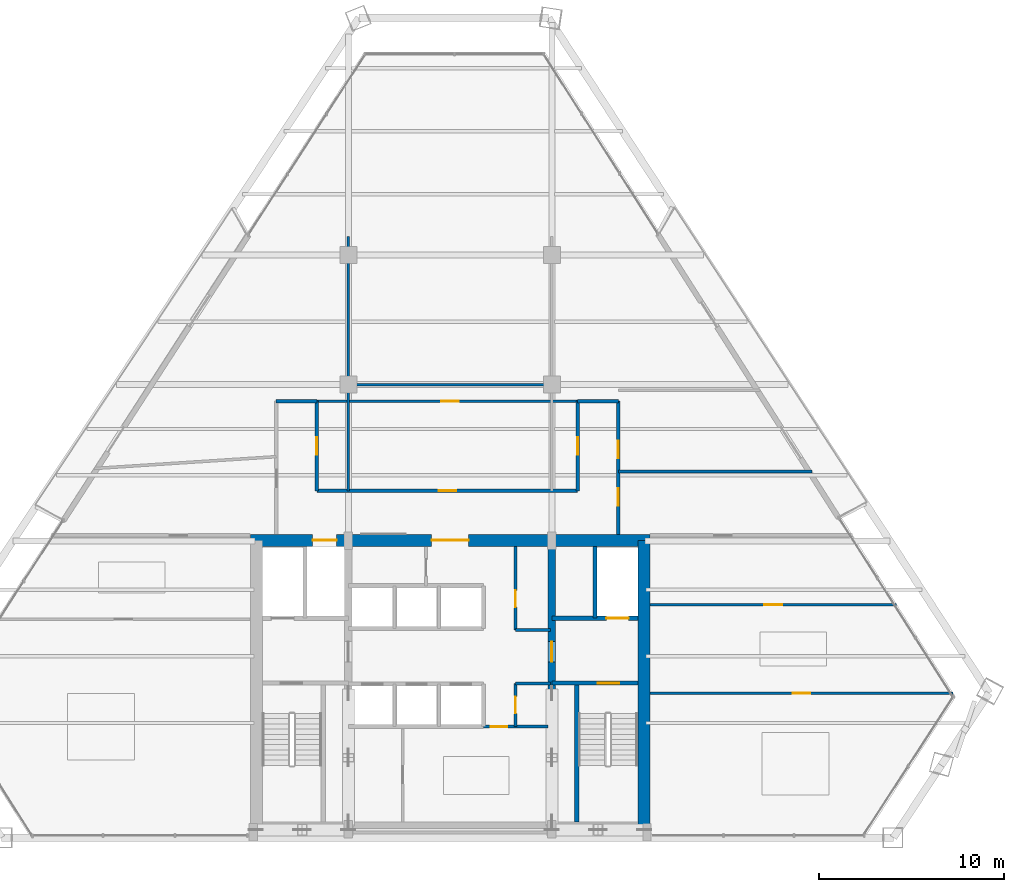
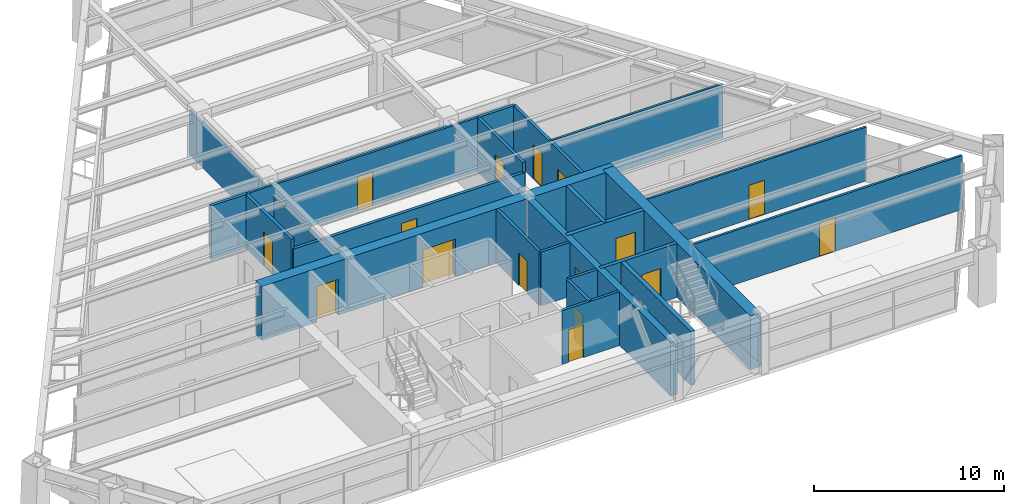
# One storey, part 12 of 15: 24 walls, 16 doors, 16 openings.
"""IFC4 building model written with IfcOpenShell, lengths in metres."""

from ifc_helpers import new_model, si_unit, direction, frame, frame_2d, origin, place, context, subcontext, project, spatial, rectangle, extrude, source, transform, mapped, material, layer, layer_set, type_object, type_shapes, element, fill, save


model = new_model("IFC4")

# Units and contexts
model_context = context("Model", 3, precision=1e-05, world=origin(), true_north=direction((0.0, 1.0)))
body_context = subcontext(model_context, "Body", "Model", "MODEL_VIEW")
ifc_project = project(units=[si_unit("LENGTHUNIT", "METRE"), si_unit("AREAUNIT", "SQUARE_METRE"), si_unit("VOLUMEUNIT", "CUBIC_METRE"), si_unit("PLANEANGLEUNIT", "RADIAN"), si_unit("MASSUNIT", "GRAM", prefix="KILO")], contexts=[model_context])

# Site, building, storey
site_placement = place(None, origin())
site = spatial("IfcSite", under=ifc_project, at=site_placement, CompositionType="ELEMENT")
building_placement = place(site_placement, origin())
building = spatial("IfcBuilding", under=site, at=building_placement, Name="Varnakhor Terracotta Tower", CompositionType="ELEMENT")
storey_placement = place(building_placement, frame((0.0, 0.0, 144.10009765625)))
storey = spatial("IfcBuildingStorey", under=building, at=storey_placement, Name="L36", CompositionType="ELEMENT", Elevation=144.10009765625)

# Wall, openings, doors
ifc_material_1 = material(Name="Concrete C50/60", Category="concrete")
ifc_layer_1 = layer(ifc_material_1, 0.64990234375, Name="Concrete C50/60")
ifc_layer_set_1 = layer_set([ifc_layer_1], Name="Concrete C50/60")
wall_type_1 = type_object("IfcWallType", Name="WAL-CORE-650", PredefinedType="SHEAR", material=ifc_layer_set_1)
wall_1_placement = place(storey_placement, frame((-10.800048828125, 16.074951171875, 0.0), z_axis=(0.0, 0.0, 1.0), x_axis=(1.0, 0.0, 0.0)))
wall_1 = element("IfcWall", 1, at=wall_1_placement, inside=storey, type_object=wall_type_1, Name="L36 North Core Shear Wall", PredefinedType="SHEAR", context=body_context, shape_type="SweptSolid", body=[
    extrude(rectangle(XDim=21.60009765625, YDim=0.64990234375, at=frame_2d((10.800048828125, 0.0))), origin(), (0.0, 0.0, 1.0), 3.469970703125),
])
opening_1_placement = place(wall_1_placement, frame((3.3701171875, 0.0, 0.0)))
opening_1 = element("IfcOpeningElement", 2, at=opening_1_placement, cuts=wall_1, Name="Opening LD-03", PredefinedType="OPENING", context=body_context, shape_type="SweptSolid", body=[
    extrude(rectangle(XDim=1.300048828125, YDim=2.300048828125, at=frame_2d((0.64990234375, 1.14990234375))), frame((0.0, 0.3349609375, 0.0), z_axis=(0.0, -1.0, 0.0), x_axis=(1.0, 0.0, 0.0)), (0.0, 0.0, 1.0), 0.669921875),
])
opening_2_placement = place(wall_1_placement, frame((9.800048828125, 0.0, 0.0)))
opening_2 = element("IfcOpeningElement", 3, at=opening_2_placement, cuts=wall_1, Name="Opening DR-32", PredefinedType="OPENING", context=body_context, shape_type="SweptSolid", body=[
    extrude(rectangle(XDim=2.0, YDim=2.39990234375, at=frame_2d((1.0, 1.199951171875))), frame((0.0, 0.3349609375, 0.0), z_axis=(0.0, -1.0, 0.0), x_axis=(1.0, 0.0, 0.0)), (0.0, 0.0, 1.0), 0.669921875),
])
ifc_material_2 = material(Name="Heavy-Duty Goods Sliding Lift Landing Door", Category="steel")
door_type_1 = type_object("IfcDoorType", Name="LD-SRV-1300X2300", OperationType="NOTDEFINED", PredefinedType="DOOR", material=ifc_material_2)
shared_shape_1 = source(origin(), body_context, "Body", "SweptSolid", [
    extrude(rectangle(XDim=1.300048828125, YDim=2.300048828125, at=frame_2d((0.64990234375, 1.14990234375))), frame((0.0, 0.02490234375, 0.0), z_axis=(0.0, -1.0, 0.0), x_axis=(1.0, 0.0, 0.0)), (0.0, 0.0, 1.0), 0.050048828125),
])
type_shapes(door_type_1, [shared_shape_1])
door_1_placement = place(opening_1_placement, origin())
door_1 = element("IfcDoor", 4, at=door_1_placement, inside=storey, type_object=door_type_1, Name="L36 Service Lift SVL-1 Landing Door", OperationType="SLIDING_TO_RIGHT", OverallHeight=2.300048828125, OverallWidth=1.300048828125, PredefinedType="DOOR", context=body_context, shape_type="MappedRepresentation", body=[
    mapped(shared_shape_1, transform((0.0, 0.0, 0.0), scale=1.0)),
])
fill(opening_1, door_1)
ifc_material_3 = material(Name="Acoustic Double Assembly Fire Door", Category="wood")
door_type_2 = type_object("IfcDoorType", Name="DR-HALL-2000X2400", OperationType="NOTDEFINED", PredefinedType="DOOR", material=ifc_material_3)
shared_shape_2 = source(origin(), body_context, "Body", "SweptSolid", [
    extrude(rectangle(XDim=2.0, YDim=2.39990234375, at=frame_2d((1.0, 1.199951171875))), frame((0.0, 0.02490234375, 0.0), z_axis=(0.0, -1.0, 0.0), x_axis=(1.0, 0.0, 0.0)), (0.0, 0.0, 1.0), 0.050048828125),
])
type_shapes(door_type_2, [shared_shape_2])
door_2_placement = place(opening_2_placement, origin())
door_2 = element("IfcDoor", 5, at=door_2_placement, inside=storey, type_object=door_type_2, Name="L36 Core Main Lobby Double Door", OperationType="DOUBLE_DOOR_SINGLE_SWING", OverallHeight=2.39990234375, OverallWidth=2.0, PredefinedType="DOOR", context=body_context, shape_type="MappedRepresentation", body=[
    mapped(shared_shape_2, transform((0.0, 0.0, 0.0), scale=1.0)),
])
fill(opening_2, door_2)

# Wall
wall_2_placement = place(storey_placement, frame((10.47509765625, 0.52490234375, 0.0), z_axis=(0.0, 0.0, 1.0), x_axis=(0.0, 1.0, 0.0)))
element("IfcWall", 6, at=wall_2_placement, inside=storey, type_object=wall_type_1, Name="L36 East Core Shear Wall", PredefinedType="SHEAR", context=body_context, shape_type="SweptSolid", body=[
    extrude(rectangle(XDim=15.550048828125, YDim=0.64990234375, at=frame_2d((7.77490234375, 0.0))), origin(), (0.0, 0.0, 1.0), 3.469970703125),
])

# Wall, opening, door
ifc_layer_2 = layer(ifc_material_1, 0.39990234375, Name="Concrete C50/60")
ifc_layer_set_2 = layer_set([ifc_layer_2], Name="Concrete C50/60")
wall_type_2 = type_object("IfcWallType", Name="WAL-CORE-WEB-400", PredefinedType="SHEAR", material=ifc_layer_set_2)
wall_3_placement = place(storey_placement, frame((5.5, 0.52490234375, 0.0), z_axis=(0.0, 0.0, 1.0), x_axis=(0.0, 1.0, 0.0)))
wall_3 = element("IfcWall", 7, at=wall_3_placement, inside=storey, type_object=wall_type_2, Name="L36 East Core Web Shear Wall", PredefinedType="SHEAR", context=body_context, shape_type="SweptSolid", body=[
    extrude(rectangle(XDim=15.550048828125, YDim=0.39990234375, at=frame_2d((7.77490234375, 0.0))), origin(), (0.0, 0.0, 1.0), 3.469970703125),
])
opening_3_placement = place(wall_3_placement, frame((8.97509765625, 0.0, 0.0)))
opening_3 = element("IfcOpeningElement", 8, at=opening_3_placement, cuts=wall_3, Name="Opening DR-25", PredefinedType="OPENING", context=body_context, shape_type="SweptSolid", body=[
    extrude(rectangle(XDim=1.10009765625, YDim=2.199951171875, at=frame_2d((0.550048828125, 1.10009765625))), frame((0.0, 0.2099609375, 0.0), z_axis=(0.0, -1.0, 0.0), x_axis=(1.0, 0.0, 0.0)), (0.0, 0.0, 1.0), 0.419921875),
])
ifc_material_4 = material(Name="Firefighting Lobby Self-Closing Fire Door", Category="steel")
door_type_3 = type_object("IfcDoorType", Name="DR-FFL-1100X2200", OperationType="NOTDEFINED", PredefinedType="DOOR", material=ifc_material_4)
shared_shape_3 = source(origin(), body_context, "Body", "SweptSolid", [
    extrude(rectangle(XDim=1.10009765625, YDim=2.199951171875, at=frame_2d((0.550048828125, 1.10009765625))), frame((0.0, 0.02490234375, 0.0), z_axis=(0.0, -1.0, 0.0), x_axis=(1.0, 0.0, 0.0)), (0.0, 0.0, 1.0), 0.050048828125),
])
type_shapes(door_type_3, [shared_shape_3])
door_3_placement = place(opening_3_placement, origin())
door_3 = element("IfcDoor", 9, at=door_3_placement, inside=storey, type_object=door_type_3, Name="L36 East Firefighting Lobby Door", OperationType="SINGLE_SWING_RIGHT", OverallHeight=2.199951171875, OverallWidth=1.10009765625, PredefinedType="DOOR", context=body_context, shape_type="MappedRepresentation", body=[
    mapped(shared_shape_3, transform((0.0, 0.0, 0.0), scale=1.0)),
])
fill(opening_3, door_3)

ifc_material_5 = material(Name="Fire-Rated Gypsum Stud Partition", Category="gypsum")
ifc_layer_3 = layer(ifc_material_5, 0.18505859375, Name="Fire-Rated Gypsum Stud Partition")
ifc_layer_set_3 = layer_set([ifc_layer_3], Name="Fire-Rated Gypsum Stud Partition")
wall_type_3 = type_object("IfcWallType", Name="WAL-CORR-185", PredefinedType="PARTITIONING", material=ifc_layer_set_3)
wall_4_placement = place(storey_placement, frame((-7.199951171875, 18.75, 0.0), z_axis=(0.0, 0.0, 1.0), x_axis=(1.0, 0.0, 0.0)))
wall_4 = element("IfcWall", 10, at=wall_4_placement, inside=storey, type_object=wall_type_3, Name="L36 Central Gallery Link Wall", PredefinedType="PARTITIONING", context=body_context, shape_type="SweptSolid", body=[
    extrude(rectangle(XDim=14.099853515625, YDim=0.18505859375, at=frame_2d((7.0498046875, 0.0))), origin(), (0.0, 0.0, 1.0), 2.845947265625),
])
opening_4_placement = place(wall_4_placement, frame((6.574951171875, 0.0, 0.0)))
opening_4 = element("IfcOpeningElement", 11, at=opening_4_placement, cuts=wall_4, Name="Opening DR-94", PredefinedType="OPENING", context=body_context, shape_type="SweptSolid", body=[
    extrude(rectangle(XDim=0.949951171875, YDim=2.199951171875, at=frame_2d((0.47509765625, 1.10009765625))), frame((0.0, 0.1025390625, 0.0), z_axis=(0.0, -1.0, 0.0), x_axis=(1.0, 0.0, 0.0)), (0.0, 0.0, 1.0), 0.205078125),
])
ifc_material_6 = material(Name="Acoustic Glazed-Vision Timber Office Door", Category="wood")
door_type_4 = type_object("IfcDoorType", Name="DR-OFF-950X2200", OperationType="NOTDEFINED", PredefinedType="DOOR", material=ifc_material_6)
shared_shape_4 = source(origin(), body_context, "Body", "SweptSolid", [
    extrude(rectangle(XDim=0.949951171875, YDim=2.199951171875, at=frame_2d((0.47509765625, 1.10009765625))), frame((0.0, 0.02490234375, 0.0), z_axis=(0.0, -1.0, 0.0), x_axis=(1.0, 0.0, 0.0)), (0.0, 0.0, 1.0), 0.050048828125),
])
type_shapes(door_type_4, [shared_shape_4])
door_4_placement = place(opening_4_placement, origin())
door_4 = element("IfcDoor", 12, at=door_4_placement, inside=storey, type_object=door_type_4, Name="L36 Center Suite Door", OperationType="SINGLE_SWING_RIGHT", OverallHeight=2.199951171875, OverallWidth=0.949951171875, PredefinedType="DOOR", context=body_context, shape_type="MappedRepresentation", body=[
    mapped(shared_shape_4, transform((0.0, 0.0, 0.0), scale=1.0)),
])
fill(opening_4, door_4)

wall_5_placement = place(storey_placement, frame((-7.199951171875, 18.75, 0.0), z_axis=(0.0, 0.0, 1.0), x_axis=(0.0, 1.0, 0.0)))
wall_5 = element("IfcWall", 13, at=wall_5_placement, inside=storey, type_object=wall_type_3, Name="L36 West Gallery Inner Wall", PredefinedType="PARTITIONING", context=body_context, shape_type="SweptSolid", body=[
    extrude(rectangle(XDim=4.85009765625, YDim=0.18505859375, at=frame_2d((2.425048828125, 0.0))), origin(), (0.0, 0.0, 1.0), 3.4619140625),
])
opening_5_placement = place(wall_5_placement, frame((1.949951171875, 0.0, 0.0)))
opening_5 = element("IfcOpeningElement", 14, at=opening_5_placement, cuts=wall_5, Name="Opening DR-94", PredefinedType="OPENING", context=body_context, shape_type="SweptSolid", body=[
    extrude(rectangle(XDim=0.949951171875, YDim=2.199951171875, at=frame_2d((0.47509765625, 1.10009765625))), frame((0.0, 0.1025390625, 0.0), z_axis=(0.0, -1.0, 0.0), x_axis=(1.0, 0.0, 0.0)), (0.0, 0.0, 1.0), 0.205078125),
])
door_5_placement = place(opening_5_placement, origin())
door_5 = element("IfcDoor", 15, at=door_5_placement, inside=storey, type_object=door_type_4, Name="L36 Counsel Office 7 B9 Door", OperationType="SINGLE_SWING_LEFT", OverallHeight=2.199951171875, OverallWidth=0.949951171875, PredefinedType="DOOR", context=body_context, shape_type="MappedRepresentation", body=[
    mapped(shared_shape_4, transform((0.0, 0.0, 0.0), scale=1.0)),
])
fill(opening_5, door_5)

wall_6_placement = place(storey_placement, frame((6.89990234375, 18.75, 0.0), z_axis=(0.0, 0.0, 1.0), x_axis=(0.0, 1.0, 0.0)))
wall_6 = element("IfcWall", 16, at=wall_6_placement, inside=storey, type_object=wall_type_3, Name="L36 East Gallery Inner Wall", PredefinedType="PARTITIONING", context=body_context, shape_type="SweptSolid", body=[
    extrude(rectangle(XDim=4.85009765625, YDim=0.18505859375, at=frame_2d((2.425048828125, 0.0))), origin(), (0.0, 0.0, 1.0), 3.4619140625),
])
opening_6_placement = place(wall_6_placement, frame((1.949951171875, 0.0, 0.0)))
opening_6 = element("IfcOpeningElement", 17, at=opening_6_placement, cuts=wall_6, Name="Opening DR-94", PredefinedType="OPENING", context=body_context, shape_type="SweptSolid", body=[
    extrude(rectangle(XDim=0.949951171875, YDim=2.199951171875, at=frame_2d((0.47509765625, 1.10009765625))), frame((0.0, 0.1025390625, 0.0), z_axis=(0.0, -1.0, 0.0), x_axis=(1.0, 0.0, 0.0)), (0.0, 0.0, 1.0), 0.205078125),
])
door_6_placement = place(opening_6_placement, origin())
door_6 = element("IfcDoor", 18, at=door_6_placement, inside=storey, type_object=door_type_4, Name="L36 Executive Training Office 2 B11 Door", OperationType="SINGLE_SWING_RIGHT", OverallHeight=2.199951171875, OverallWidth=0.949951171875, PredefinedType="DOOR", context=body_context, shape_type="MappedRepresentation", body=[
    mapped(shared_shape_4, transform((0.0, 0.0, 0.0), scale=1.0)),
])
fill(opening_6, door_6)

# Wall, openings, doors
wall_7_placement = place(storey_placement, frame((9.10009765625, 16.39990234375, 0.0), z_axis=(0.0, 0.0, 1.0), x_axis=(0.0, 1.0, 0.0)))
wall_7 = element("IfcWall", 19, at=wall_7_placement, inside=storey, type_object=wall_type_3, Name="L36 East Gallery Outer Wall", PredefinedType="PARTITIONING", context=body_context, shape_type="SweptSolid", body=[
    extrude(rectangle(XDim=7.2001953125, YDim=0.18505859375, at=frame_2d((3.60009765625, 0.0))), origin(), (0.0, 0.0, 1.0), 3.4619140625),
])
opening_7_placement = place(wall_7_placement, frame((4.1025390625, 0.0, 0.0)))
opening_7 = element("IfcOpeningElement", 20, at=opening_7_placement, cuts=wall_7, Name="Opening DR-94", PredefinedType="OPENING", context=body_context, shape_type="SweptSolid", body=[
    extrude(rectangle(XDim=0.949951171875, YDim=2.199951171875, at=frame_2d((0.47509765625, 1.10009765625))), frame((0.0, 0.1025390625, 0.0), z_axis=(0.0, -1.0, 0.0), x_axis=(1.0, 0.0, 0.0)), (0.0, 0.0, 1.0), 0.205078125),
])
opening_8_placement = place(wall_7_placement, frame((1.547607421875, 0.0, 0.0)))
opening_8 = element("IfcOpeningElement", 21, at=opening_8_placement, cuts=wall_7, Name="Opening DR-94", PredefinedType="OPENING", context=body_context, shape_type="SweptSolid", body=[
    extrude(rectangle(XDim=0.949951171875, YDim=2.199951171875, at=frame_2d((0.47509765625, 1.10009765625))), frame((0.0, 0.1025390625, 0.0), z_axis=(0.0, -1.0, 0.0), x_axis=(1.0, 0.0, 0.0)), (0.0, 0.0, 1.0), 0.205078125),
])
door_7_placement = place(opening_7_placement, origin())
door_7 = element("IfcDoor", 22, at=door_7_placement, inside=storey, type_object=door_type_4, Name="L36 East Wing Door", OperationType="SINGLE_SWING_RIGHT", OverallHeight=2.199951171875, OverallWidth=0.949951171875, PredefinedType="DOOR", context=body_context, shape_type="MappedRepresentation", body=[
    mapped(shared_shape_4, transform((0.0, 0.0, 0.0), scale=1.0)),
])
fill(opening_7, door_7)
door_8_placement = place(opening_8_placement, origin())
door_8 = element("IfcDoor", 23, at=door_8_placement, inside=storey, type_object=door_type_4, Name="L36 Corporate Advisory Office 3 Door", OperationType="SINGLE_SWING_RIGHT", OverallHeight=2.199951171875, OverallWidth=0.949951171875, PredefinedType="DOOR", context=body_context, shape_type="MappedRepresentation", body=[
    mapped(shared_shape_4, transform((0.0, 0.0, 0.0), scale=1.0)),
])
fill(opening_8, door_8)

# Walls
wall_8_placement = place(storey_placement, frame((-9.39990234375, 23.60009765625, 0.0), z_axis=(0.0, 0.0, 1.0), x_axis=(1.0, 0.0, 0.0)))
element("IfcWall", 24, at=wall_8_placement, inside=storey, type_object=wall_type_3, Name="L36 West Gallery North End", PredefinedType="PARTITIONING", context=body_context, shape_type="SweptSolid", body=[
    extrude(rectangle(XDim=2.199951171875, YDim=0.18505859375, at=frame_2d((1.10009765625, 0.0))), origin(), (0.0, 0.0, 1.0), 3.4619140625),
])
wall_9_placement = place(storey_placement, frame((6.89990234375, 23.60009765625, 0.0), z_axis=(0.0, 0.0, 1.0), x_axis=(1.0, 0.0, 0.0)))
element("IfcWall", 25, at=wall_9_placement, inside=storey, type_object=wall_type_3, Name="L36 East Gallery North End", PredefinedType="PARTITIONING", context=body_context, shape_type="SweptSolid", body=[
    extrude(rectangle(XDim=2.2001953125, YDim=0.18505859375, at=frame_2d((1.10009765625, 0.0))), origin(), (0.0, 0.0, 1.0), 3.4619140625),
])

# Wall, opening, door
ifc_material_7 = material(Name="Concrete C40/50", Category="concrete")
ifc_layer_4 = layer(ifc_material_7, 0.219970703125, Name="Concrete C40/50")
ifc_layer_set_4 = layer_set([ifc_layer_4], Name="Concrete C40/50")
wall_type_4 = type_object("IfcWallType", Name="WAL-FFLOBBY-220", PredefinedType="SOLIDWALL", material=ifc_layer_set_4)
wall_10_placement = place(storey_placement, frame((10.14990234375, 8.35009765625, 0.0), z_axis=(0.0, 0.0, 1.0), x_axis=(-1.0, 0.0, 0.0)))
wall_10 = element("IfcWall", 26, at=wall_10_placement, inside=storey, type_object=wall_type_4, Name="L36 East Firefighting Lobby Stair Wall", PredefinedType="SOLIDWALL", context=body_context, shape_type="SweptSolid", body=[
    extrude(rectangle(XDim=4.64990234375, YDim=0.219970703125, at=frame_2d((2.324951171875, 0.0))), origin(), (0.0, 0.0, 1.0), 3.469970703125),
])
opening_9_placement = place(wall_10_placement, frame((1.0, 0.0, 0.0)))
opening_9 = element("IfcOpeningElement", 27, at=opening_9_placement, cuts=wall_10, Name="Opening DR-34", PredefinedType="OPENING", context=body_context, shape_type="SweptSolid", body=[
    extrude(rectangle(XDim=1.14990234375, YDim=2.199951171875, at=frame_2d((0.574951171875, 1.10009765625))), frame((0.0, 0.1201171875, 0.0), z_axis=(0.0, -1.0, 0.0), x_axis=(1.0, 0.0, 0.0)), (0.0, 0.0, 1.0), 0.239990234375),
])
ifc_material_8 = material(Name="Self-Closing Smoke-Sealed Steel Fire Door", Category="steel")
door_type_5 = type_object("IfcDoorType", Name="DR-STAIR-1150X2200", OperationType="NOTDEFINED", PredefinedType="DOOR", material=ifc_material_8)
shared_shape_5 = source(origin(), body_context, "Body", "SweptSolid", [
    extrude(rectangle(XDim=1.14990234375, YDim=2.199951171875, at=frame_2d((0.574951171875, 1.10009765625))), frame((0.0, 0.02490234375, 0.0), z_axis=(0.0, -1.0, 0.0), x_axis=(1.0, 0.0, 0.0)), (0.0, 0.0, 1.0), 0.050048828125),
])
type_shapes(door_type_5, [shared_shape_5])
door_9_placement = place(opening_9_placement, origin())
door_9 = element("IfcDoor", 28, at=door_9_placement, inside=storey, type_object=door_type_5, Name="L36 Exit Stair ST-2 Fire Door", OperationType="SINGLE_SWING_LEFT", OverallHeight=2.199951171875, OverallWidth=1.14990234375, PredefinedType="DOOR", context=body_context, shape_type="MappedRepresentation", body=[
    mapped(shared_shape_5, transform((0.0, 0.0, 0.0), scale=1.0)),
])
fill(opening_9, door_9)

ifc_material_9 = material(Name="Acoustic Metal-Stud Partition", Category="gypsum")
ifc_layer_5 = layer(ifc_material_9, 0.139892578125, Name="Acoustic Metal-Stud Partition")
ifc_layer_set_5 = layer_set([ifc_layer_5], Name="Acoustic Metal-Stud Partition")
wall_type_5 = type_object("IfcWallType", Name="WAL-PART-140", PredefinedType="PARTITIONING", material=ifc_layer_set_5)
wall_11_placement = place(storey_placement, frame((-7.199951171875, 23.60009765625, 0.0), z_axis=(0.0, 0.0, 1.0), x_axis=(1.0, 0.0, 0.0)))
wall_11 = element("IfcWall", 29, at=wall_11_placement, inside=storey, type_object=wall_type_5, Name="L36 Gallery Center Cap Wall", PredefinedType="PARTITIONING", context=body_context, shape_type="SweptSolid", body=[
    extrude(rectangle(XDim=14.099853515625, YDim=0.139892578125, at=frame_2d((7.0498046875, 0.0))), origin(), (0.0, 0.0, 1.0), 3.4619140625),
])
opening_10_placement = place(wall_11_placement, frame((6.7177734375, 0.0, 0.0)))
opening_10 = element("IfcOpeningElement", 30, at=opening_10_placement, cuts=wall_11, Name="Opening DR-94", PredefinedType="OPENING", context=body_context, shape_type="SweptSolid", body=[
    extrude(rectangle(XDim=0.949951171875, YDim=2.199951171875, at=frame_2d((0.47509765625, 1.10009765625))), frame((0.0, 0.080078125, 0.0), z_axis=(0.0, -1.0, 0.0), x_axis=(1.0, 0.0, 0.0)), (0.0, 0.0, 1.0), 0.159912109375),
])
door_10_placement = place(opening_10_placement, origin())
door_10 = element("IfcDoor", 31, at=door_10_placement, inside=storey, type_object=door_type_4, Name="L36 Client Reception Door", OperationType="SINGLE_SWING_LEFT", OverallHeight=2.199951171875, OverallWidth=0.949951171875, PredefinedType="DOOR", context=body_context, shape_type="MappedRepresentation", body=[
    mapped(shared_shape_4, transform((0.0, 0.0, 0.0), scale=1.0)),
])
fill(opening_10, door_10)

# Walls
wall_12_placement = place(storey_placement, frame((-5.5, 18.75, 0.0), z_axis=(0.0, 0.0, 1.0), x_axis=(0.0, 1.0, 0.0)))
element("IfcWall", 32, at=wall_12_placement, inside=storey, type_object=wall_type_5, Name="L36 Center West Column Wall", PredefinedType="PARTITIONING", context=body_context, shape_type="SweptSolid", body=[
    extrude(rectangle(XDim=13.75, YDim=0.139892578125, at=frame_2d((6.875, 0.0))), origin(), (0.0, 0.0, 1.0), 2.845947265625),
])
wall_13_placement = place(storey_placement, frame((-5.5, 24.5, 0.0), z_axis=(0.0, 0.0, 1.0), x_axis=(1.0, 0.0, 0.0)))
element("IfcWall", 33, at=wall_13_placement, inside=storey, type_object=wall_type_5, Name="L36 Center Cross Cut 1", PredefinedType="PARTITIONING", context=body_context, shape_type="SweptSolid", body=[
    extrude(rectangle(XDim=11.0, YDim=0.139892578125, at=frame_2d((5.5, 0.0))), origin(), (0.0, 0.0, 1.0), 2.845947265625),
])

# Wall, opening, door
wall_14_placement = place(storey_placement, frame((10.820068359375, 7.800048828125, 0.0), z_axis=(0.0, 0.0, 1.0), x_axis=(1.0, 0.0, 0.0)))
wall_14 = element("IfcWall", 34, at=wall_14_placement, inside=storey, type_object=wall_type_5, Name="L36 East Wing Cut 1", PredefinedType="PARTITIONING", context=body_context, shape_type="SweptSolid", body=[
    extrude(rectangle(XDim=16.388916015625, YDim=0.139892578125, at=frame_2d((8.1943359375, 0.0))), origin(), (0.0, 0.0, 1.0), 3.4619140625),
])
opening_11_placement = place(wall_14_placement, frame((7.711669921875, 0.0, 0.0)))
opening_11 = element("IfcOpeningElement", 35, at=opening_11_placement, cuts=wall_14, Name="Opening DR-94", PredefinedType="OPENING", context=body_context, shape_type="SweptSolid", body=[
    extrude(rectangle(XDim=0.949951171875, YDim=2.199951171875, at=frame_2d((0.47509765625, 1.10009765625))), frame((0.0, 0.080078125, 0.0), z_axis=(0.0, -1.0, 0.0), x_axis=(1.0, 0.0, 0.0)), (0.0, 0.0, 1.0), 0.159912109375),
])
door_11_placement = place(opening_11_placement, origin())
door_11 = element("IfcDoor", 36, at=door_11_placement, inside=storey, type_object=door_type_4, Name="L36 Conference Room 1 SE Door", OperationType="SINGLE_SWING_LEFT", OverallHeight=2.199951171875, OverallWidth=0.949951171875, PredefinedType="DOOR", context=body_context, shape_type="MappedRepresentation", body=[
    mapped(shared_shape_4, transform((0.0, 0.0, 0.0), scale=1.0)),
])
fill(opening_11, door_11)

wall_15_placement = place(storey_placement, frame((10.820068359375, 12.60009765625, 0.0), z_axis=(0.0, 0.0, 1.0), x_axis=(1.0, 0.0, 0.0)))
wall_15 = element("IfcWall", 37, at=wall_15_placement, inside=storey, type_object=wall_type_5, Name="L36 East Wing Cut 2", PredefinedType="PARTITIONING", context=body_context, shape_type="SweptSolid", body=[
    extrude(rectangle(XDim=13.33203125, YDim=0.139892578125, at=frame_2d((6.666015625, 0.0))), origin(), (0.0, 0.0, 1.0), 3.4619140625),
])
opening_12_placement = place(wall_15_placement, frame((6.18310546875, 0.0, 0.0)))
opening_12 = element("IfcOpeningElement", 38, at=opening_12_placement, cuts=wall_15, Name="Opening DR-94", PredefinedType="OPENING", context=body_context, shape_type="SweptSolid", body=[
    extrude(rectangle(XDim=0.949951171875, YDim=2.199951171875, at=frame_2d((0.47509765625, 1.10009765625))), frame((0.0, 0.080078125, 0.0), z_axis=(0.0, -1.0, 0.0), x_axis=(1.0, 0.0, 0.0)), (0.0, 0.0, 1.0), 0.159912109375),
])
door_12_placement = place(opening_12_placement, origin())
door_12 = element("IfcDoor", 39, at=door_12_placement, inside=storey, type_object=door_type_4, Name="L36 Boardroom 4 B3 Door", OperationType="SINGLE_SWING_RIGHT", OverallHeight=2.199951171875, OverallWidth=0.949951171875, PredefinedType="DOOR", context=body_context, shape_type="MappedRepresentation", body=[
    mapped(shared_shape_4, transform((0.0, 0.0, 0.0), scale=1.0)),
])
fill(opening_12, door_12)

# Walls
wall_16_placement = place(storey_placement, frame((9.10009765625, 19.800048828125, 0.0), z_axis=(0.0, 0.0, 1.0), x_axis=(1.0, 0.0, 0.0)))
element("IfcWall", 40, at=wall_16_placement, inside=storey, type_object=wall_type_5, Name="L36 East Wing Cut 3", PredefinedType="PARTITIONING", context=body_context, shape_type="SweptSolid", body=[
    extrude(rectangle(XDim=10.466796875, YDim=0.139892578125, at=frame_2d((5.2333984375, 0.0))), origin(), (0.0, 0.0, 1.0), 3.4619140625),
])
ifc_layer_6 = layer(ifc_material_7, 0.219970703125, Name="Concrete C40/50")
ifc_layer_set_6 = layer_set([ifc_layer_6], Name="Concrete C40/50")
wall_type_6 = type_object("IfcWallType", Name="WAL-SHAFT-220", PredefinedType="SOLIDWALL", material=ifc_layer_set_6)
wall_17_placement = place(storey_placement, frame((7.840087890625, 11.8701171875, 0.0), z_axis=(0.0, 0.0, 1.0), x_axis=(0.0, 1.0, 0.0)))
element("IfcWall", 41, at=wall_17_placement, inside=storey, type_object=wall_type_6, Name="L36 Lift FFL-2 and Riser Divider Wall", PredefinedType="SOLIDWALL", context=body_context, shape_type="SweptSolid", body=[
    extrude(rectangle(XDim=3.8798828125, YDim=0.219970703125, at=frame_2d((1.93994140625, 0.0))), origin(), (0.0, 0.0, 1.0), 3.469970703125),
])
ifc_layer_7 = layer(ifc_material_7, 0.25, Name="Concrete C40/50")
ifc_layer_set_7 = layer_set([ifc_layer_7], Name="Concrete C40/50")
wall_type_7 = type_object("IfcWallType", Name="WAL-SHAFT-250", PredefinedType="SOLIDWALL", material=ifc_layer_set_7)
wall_18_placement = place(storey_placement, frame((6.85009765625, 0.85009765625, 0.0), z_axis=(0.0, 0.0, 1.0), x_axis=(0.0, 1.0, 0.0)))
element("IfcWall", 42, at=wall_18_placement, inside=storey, type_object=wall_type_7, Name="L36 Stair ST-2 Bearing Shaft Wall", PredefinedType="SOLIDWALL", context=body_context, shape_type="SweptSolid", body=[
    extrude(rectangle(XDim=7.5, YDim=0.25, at=frame_2d((3.75, 0.0))), origin(), (0.0, 0.0, 1.0), 3.469970703125),
])

# Wall, opening, door
wall_19_placement = place(storey_placement, frame((10.14990234375, 11.8701171875, 0.0), z_axis=(0.0, 0.0, 1.0), x_axis=(-1.0, 0.0, 0.0)))
wall_19 = element("IfcWall", 43, at=wall_19_placement, inside=storey, type_object=wall_type_7, Name="L36 Lift FFL-2 Shaft Front Wall", PredefinedType="SOLIDWALL", context=body_context, shape_type="SweptSolid", body=[
    extrude(rectangle(XDim=4.64990234375, YDim=0.25, at=frame_2d((2.324951171875, 0.0))), origin(), (0.0, 0.0, 1.0), 3.469970703125),
])
opening_13_placement = place(wall_19_placement, frame((0.5, 0.0, 0.0)))
opening_13 = element("IfcOpeningElement", 44, at=opening_13_placement, cuts=wall_19, Name="Opening LD-02", PredefinedType="OPENING", context=body_context, shape_type="SweptSolid", body=[
    extrude(rectangle(XDim=1.199951171875, YDim=2.25, at=frame_2d((0.60009765625, 1.125))), frame((0.0, 0.135009765625, 0.0), z_axis=(0.0, -1.0, 0.0), x_axis=(1.0, 0.0, 0.0)), (0.0, 0.0, 1.0), 0.27001953125),
])
ifc_material_10 = material(Name="Firefighting Stretcher Sliding Lift Landing Door", Category="steel")
door_type_6 = type_object("IfcDoorType", Name="LD-FFL-1200X2250", OperationType="NOTDEFINED", PredefinedType="DOOR", material=ifc_material_10)
shared_shape_6 = source(origin(), body_context, "Body", "SweptSolid", [
    extrude(rectangle(XDim=1.199951171875, YDim=2.25, at=frame_2d((0.60009765625, 1.125))), frame((0.0, 0.02490234375, 0.0), z_axis=(0.0, -1.0, 0.0), x_axis=(1.0, 0.0, 0.0)), (0.0, 0.0, 1.0), 0.050048828125),
])
type_shapes(door_type_6, [shared_shape_6])
door_13_placement = place(opening_13_placement, origin())
door_13 = element("IfcDoor", 45, at=door_13_placement, inside=storey, type_object=door_type_6, Name="L36 Firefighting Lift FFL-2 Landing Door", OperationType="SLIDING_TO_RIGHT", OverallHeight=2.25, OverallWidth=1.199951171875, PredefinedType="DOOR", context=body_context, shape_type="MappedRepresentation", body=[
    mapped(shared_shape_6, transform((0.0, 0.0, 0.0), scale=1.0)),
])
fill(opening_13, door_13)

ifc_material_11 = material(Name="Acoustic Fire-Rated Partition", Category="gypsum")
ifc_layer_8 = layer(ifc_material_11, 0.1650390625, Name="Acoustic Fire-Rated Partition")
ifc_layer_set_8 = layer_set([ifc_layer_8], Name="Acoustic Fire-Rated Partition")
wall_type_8 = type_object("IfcWallType", Name="WAL-TENANCY-165", PredefinedType="PARTITIONING", material=ifc_layer_set_8)
wall_20_placement = place(storey_placement, frame((1.820068359375, 6.0, 0.0), z_axis=(0.0, 0.0, 1.0), x_axis=(1.0, 0.0, 0.0)))
wall_20 = element("IfcWall", 46, at=wall_20_placement, inside=storey, type_object=wall_type_8, Name="L36 Reclaimed Core Bay North Rated Wall", PredefinedType="PARTITIONING", context=body_context, shape_type="SweptSolid", body=[
    extrude(rectangle(XDim=3.47998046875, YDim=0.1650390625, at=frame_2d((1.739990234375, 0.0))), origin(), (0.0, 0.0, 1.0), 3.4619140625),
])
opening_14_placement = place(wall_20_placement, frame((0.3798828125, 0.0, 0.0)))
opening_14 = element("IfcOpeningElement", 47, at=opening_14_placement, cuts=wall_20, Name="Opening DR-67", PredefinedType="OPENING", context=body_context, shape_type="SweptSolid", body=[
    extrude(rectangle(XDim=0.89990234375, YDim=2.10009765625, at=frame_2d((0.449951171875, 1.050048828125))), frame((0.0, 0.092529296875, 0.0), z_axis=(0.0, -1.0, 0.0), x_axis=(1.0, 0.0, 0.0)), (0.0, 0.0, 1.0), 0.18505859375),
])
ifc_material_12 = material(Name="Steel Service Riser Fire Door", Category="steel")
door_type_7 = type_object("IfcDoorType", Name="DR-RISER-900X2100", OperationType="NOTDEFINED", PredefinedType="DOOR", material=ifc_material_12)
shared_shape_7 = source(origin(), body_context, "Body", "SweptSolid", [
    extrude(rectangle(XDim=0.89990234375, YDim=2.10009765625, at=frame_2d((0.449951171875, 1.050048828125))), frame((0.0, 0.02490234375, 0.0), z_axis=(0.0, -1.0, 0.0), x_axis=(1.0, 0.0, 0.0)), (0.0, 0.0, 1.0), 0.050048828125),
])
type_shapes(door_type_7, [shared_shape_7])
door_14_placement = place(opening_14_placement, origin())
door_14 = element("IfcDoor", 48, at=door_14_placement, inside=storey, type_object=door_type_7, Name="L36 Core Reclaimed Suite Door", OperationType="SINGLE_SWING_LEFT", OverallHeight=2.10009765625, OverallWidth=0.89990234375, PredefinedType="DOOR", context=body_context, shape_type="MappedRepresentation", body=[
    mapped(shared_shape_7, transform((0.0, 0.0, 0.0), scale=1.0)),
])
fill(opening_14, door_14)

wall_21_placement = place(storey_placement, frame((3.5400390625, 6.0, 0.0), z_axis=(0.0, 0.0, 1.0), x_axis=(0.0, 1.0, 0.0)))
wall_21 = element("IfcWall", 49, at=wall_21_placement, inside=storey, type_object=wall_type_8, Name="L36 Accessible WC Rated Wall", PredefinedType="PARTITIONING", context=body_context, shape_type="SweptSolid", body=[
    extrude(rectangle(XDim=2.340087890625, YDim=0.1650390625, at=frame_2d((1.169921875, 0.0))), origin(), (0.0, 0.0, 1.0), 3.4619140625),
])
opening_15_placement = place(wall_21_placement, frame((0.719970703125, 0.0, 0.0)))
opening_15 = element("IfcOpeningElement", 50, at=opening_15_placement, cuts=wall_21, Name="Opening DR-67", PredefinedType="OPENING", context=body_context, shape_type="SweptSolid", body=[
    extrude(rectangle(XDim=0.89990234375, YDim=2.10009765625, at=frame_2d((0.449951171875, 1.050048828125))), frame((0.0, 0.092529296875, 0.0), z_axis=(0.0, -1.0, 0.0), x_axis=(1.0, 0.0, 0.0)), (0.0, 0.0, 1.0), 0.18505859375),
])
door_15_placement = place(opening_15_placement, origin())
door_15 = element("IfcDoor", 51, at=door_15_placement, inside=storey, type_object=door_type_7, Name="L36 Accessible WC Door", OperationType="SINGLE_SWING_LEFT", OverallHeight=2.10009765625, OverallWidth=0.89990234375, PredefinedType="DOOR", context=body_context, shape_type="MappedRepresentation", body=[
    mapped(shared_shape_7, transform((0.0, 0.0, 0.0), scale=1.0)),
])
fill(opening_15, door_15)

# Wall
wall_22_placement = place(storey_placement, frame((3.5400390625, 8.340087890625, 0.0), z_axis=(0.0, 0.0, 1.0), x_axis=(1.0, 0.0, 0.0)))
element("IfcWall", 52, at=wall_22_placement, inside=storey, type_object=wall_type_8, Name="L36 Accessible WC North Wall", PredefinedType="PARTITIONING", context=body_context, shape_type="SweptSolid", body=[
    extrude(rectangle(XDim=1.8798828125, YDim=0.1650390625, at=frame_2d((0.93994140625, 0.0))), origin(), (0.0, 0.0, 1.0), 3.4619140625),
])

# Wall, opening, door
wall_23_placement = place(storey_placement, frame((3.5400390625, 11.219970703125, 0.0), z_axis=(0.0, 0.0, 1.0), x_axis=(0.0, 1.0, 0.0)))
wall_23 = element("IfcWall", 53, at=wall_23_placement, inside=storey, type_object=wall_type_8, Name="L36 Restroom Corridor Wall", PredefinedType="PARTITIONING", context=body_context, shape_type="SweptSolid", body=[
    extrude(rectangle(XDim=4.530029296875, YDim=0.1650390625, at=frame_2d((2.26513671875, 0.0))), origin(), (0.0, 0.0, 1.0), 3.4619140625),
])
opening_16_placement = place(wall_23_placement, frame((1.25, 0.0, 0.0)))
opening_16 = element("IfcOpeningElement", 54, at=opening_16_placement, cuts=wall_23, Name="Opening DR-67", PredefinedType="OPENING", context=body_context, shape_type="SweptSolid", body=[
    extrude(rectangle(XDim=0.89990234375, YDim=2.10009765625, at=frame_2d((0.449951171875, 1.050048828125))), frame((0.0, 0.092529296875, 0.0), z_axis=(0.0, -1.0, 0.0), x_axis=(1.0, 0.0, 0.0)), (0.0, 0.0, 1.0), 0.18505859375),
])
door_16_placement = place(opening_16_placement, origin())
door_16 = element("IfcDoor", 55, at=door_16_placement, inside=storey, type_object=door_type_7, Name="L36 Female WC Door", OperationType="SINGLE_SWING_LEFT", OverallHeight=2.10009765625, OverallWidth=0.89990234375, PredefinedType="DOOR", context=body_context, shape_type="MappedRepresentation", body=[
    mapped(shared_shape_7, transform((0.0, 0.0, 0.0), scale=1.0)),
])
fill(opening_16, door_16)

# Wall
wall_24_placement = place(storey_placement, frame((3.5400390625, 11.219970703125, 0.0), z_axis=(0.0, 0.0, 1.0), x_axis=(1.0, 0.0, 0.0)))
element("IfcWall", 56, at=wall_24_placement, inside=storey, type_object=wall_type_8, Name="L36 Restroom South Wall", PredefinedType="PARTITIONING", context=body_context, shape_type="SweptSolid", body=[
    extrude(rectangle(XDim=1.8798828125, YDim=0.1650390625, at=frame_2d((0.93994140625, 0.0))), origin(), (0.0, 0.0, 1.0), 3.4619140625),
])

save(model, "model.ifc")
